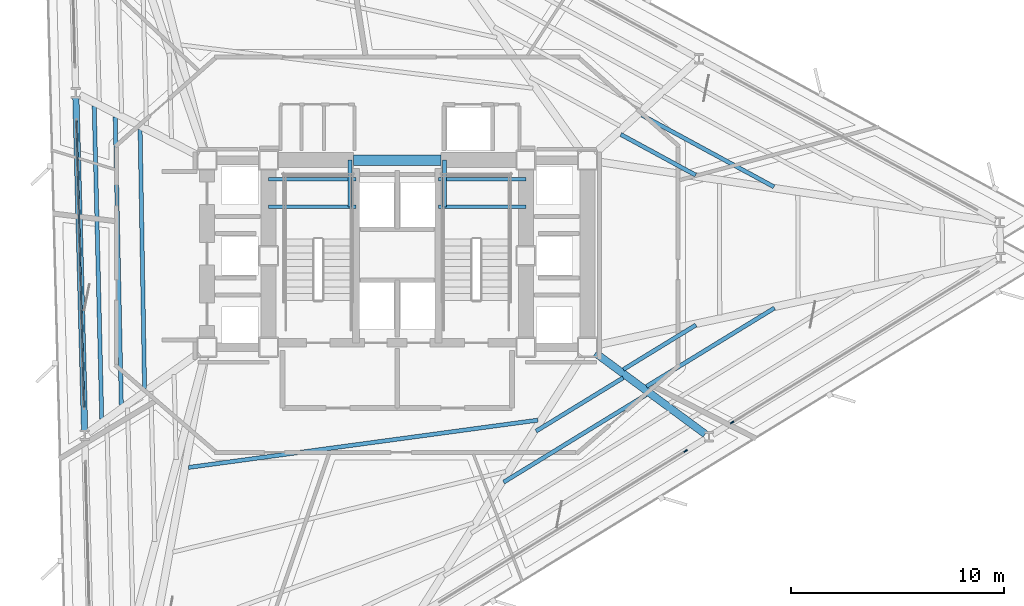
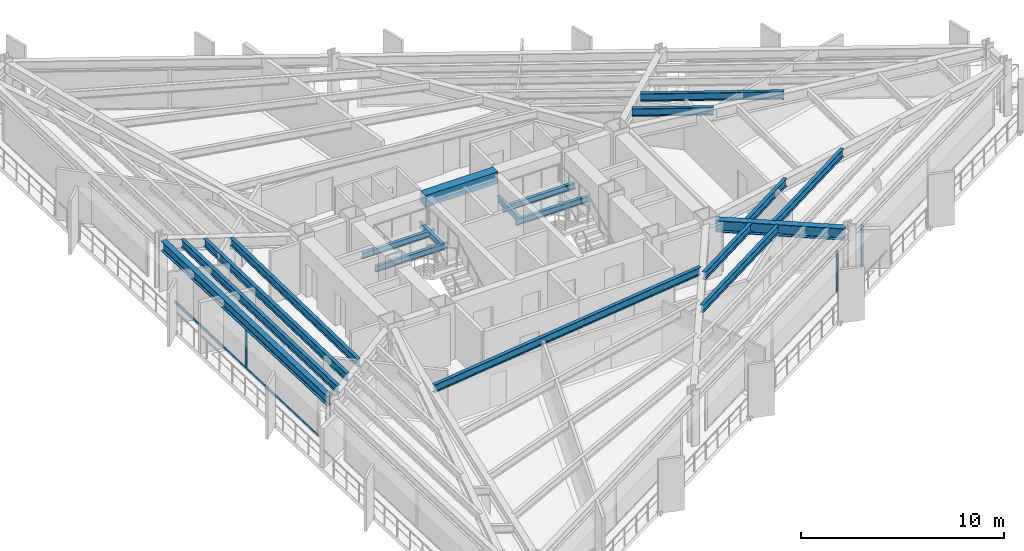
# One storey, part 3 of 14: 19 beams, 7 members, 3 elements without a shape of their own.
"""IFC4 building model written with IfcOpenShell, lengths in metres."""

from ifc_helpers import new_model, si_unit, direction, frame, origin, origin_2d, place, context, subcontext, project, spatial, rectangle, i_section, extrude, material, layer, layer_set, material_profile, profile_set, type_object, element, aggregate, save


model = new_model("IFC4")

# Units and contexts
model_context = context("Model", 3, precision=1e-05, world=origin(), true_north=direction((0.0, 1.0)))
body_context = subcontext(model_context, "Body", "Model", "MODEL_VIEW")
ifc_project = project(units=[si_unit("LENGTHUNIT", "METRE"), si_unit("AREAUNIT", "SQUARE_METRE"), si_unit("VOLUMEUNIT", "CUBIC_METRE"), si_unit("PLANEANGLEUNIT", "RADIAN"), si_unit("MASSUNIT", "GRAM", prefix="KILO")], contexts=[model_context])

# Site, building, storey
site_placement = place(None, origin())
site = spatial("IfcSite", under=ifc_project, at=site_placement, CompositionType="ELEMENT")
building_placement = place(site_placement, origin())
building = spatial("IfcBuilding", under=site, at=building_placement, Name="Rocaltana Carrier Exchange", CompositionType="ELEMENT")
storey_placement = place(building_placement, frame((0.0, 0.0, 28.9599609375)))
storey = spatial("IfcBuildingStorey", under=building, at=storey_placement, Name="L09", CompositionType="ELEMENT", Elevation=28.9599609375)

# Curtain wall, member
ifc_material_1 = material(Name="Aluminium 6063-T6", Category="aluminium")
ifc_layer = layer(ifc_material_1, 0.179931640625)
ifc_layer_set = layer_set([ifc_layer], Name="Aluminium 6063-T6")
curtain_wall_type = type_object("IfcCurtainWallType", Name="Sandstone Spandrel Unitised Curtain Wall CW-01", PredefinedType="NOTDEFINED", material=ifc_layer_set)
curtain_wall_1_placement = place(storey_placement, origin())
curtain_wall_1 = element("IfcCurtainWall", 1, at=curtain_wall_1_placement, inside=storey, type_object=curtain_wall_type, Name="L09 CW-01 Run CW-L09-F2S2", PredefinedType="NOTDEFINED")
ifc_material_2 = material(Name="Aluminium 6063-T6", Category="aluminium")
ifc_material_profile_1 = material_profile(ifc_material_2, rectangle(XDim=0.06494140625, YDim=0.179931640625, at=origin_2d()), Name="AL-65X180")
ifc_profile_set_1 = profile_set([ifc_material_profile_1], Name="Aluminium 6063-T6")
member_type_1 = type_object("IfcMemberType", Name="CW-01 Mullion AL-65X180", PredefinedType="MULLION", material=ifc_profile_set_1)
member_1_placement = place(storey_placement, frame((-14.91064453125, -0.390380859375, 0.0), z_axis=(0.0, 0.0, 1.0), x_axis=(0.99965733548, 0.026176547142, 0.0)))
member_1 = element("IfcMember", 2, at=member_1_placement, type_object=member_type_1, Name="CW-01 mullion 2", PredefinedType="MULLION", context=body_context, shape_type="SweptSolid", body=[
    extrude(rectangle(XDim=0.06494140625, YDim=0.179931640625, at=origin_2d()), origin(), (0.0, 0.0, 1.0), 2.47802734375),
])

curtain_wall_2_placement = place(storey_placement, origin())
curtain_wall_2 = element("IfcCurtainWall", 3, at=curtain_wall_2_placement, inside=storey, type_object=curtain_wall_type, Name="L09 CW-01 Run CW-L09-F3S2", PredefinedType="NOTDEFINED")
member_2_placement = place(storey_placement, frame((13.563720703125, -9.181884765625, 0.0), z_axis=(0.0, 0.0, 1.0), x_axis=(-0.522499812415, 0.852639399762, 0.0)))
member_2 = element("IfcMember", 4, at=member_2_placement, type_object=member_type_1, Name="CW-01 mullion 3", PredefinedType="MULLION", context=body_context, shape_type="SweptSolid", body=[
    extrude(rectangle(XDim=0.06494140625, YDim=0.179931640625, at=origin_2d()), origin(), (0.0, 0.0, 1.0), 2.47802734375),
])
aggregate(curtain_wall_2, [member_2])

curtain_wall_3_placement = place(storey_placement, origin())
curtain_wall_3 = element("IfcCurtainWall", 5, at=curtain_wall_3_placement, inside=storey, type_object=curtain_wall_type, Name="L09 CW-01 Run CW-L09-F3S3", PredefinedType="NOTDEFINED")
member_3_placement = place(storey_placement, frame((15.750732421875, -7.841552734375, 0.0), z_axis=(0.0, 0.0, 1.0), x_axis=(-0.522499812415, 0.852639399762, 0.0)))
member_3 = element("IfcMember", 6, at=member_3_placement, type_object=member_type_1, Name="CW-01 mullion 1", PredefinedType="MULLION", context=body_context, shape_type="SweptSolid", body=[
    extrude(rectangle(XDim=0.06494140625, YDim=0.179931640625, at=origin_2d()), origin(), (0.0, 0.0, 1.0), 2.47802734375),
])
aggregate(curtain_wall_3, [member_3])

# Member
ifc_material_3 = material(Name="Aluminium 6063-T6", Category="aluminium")
ifc_material_profile_2 = material_profile(ifc_material_3, rectangle(XDim=0.06494140625, YDim=0.179931640625, at=origin_2d()), Name="AL-65X180")
ifc_profile_set_2 = profile_set([ifc_material_profile_2], Name="Aluminium 6063-T6")
member_type_2 = type_object("IfcMemberType", Name="CW-01 Transom AL-65X180", PredefinedType="USERDEFINED", material=ifc_profile_set_2)
member_4_placement = place(storey_placement, frame((-15.0869140625, 6.34228515625, 0.032470703125), z_axis=(0.026153417925, -0.999657940863, 0.0), x_axis=(0.999657940863, 0.026153417925, 0.0)))
member_4 = element("IfcMember", 7, at=member_4_placement, type_object=member_type_2, Name="CW-01 transom 1.1", ObjectType="TRANSOM", PredefinedType="USERDEFINED", context=body_context, shape_type="SweptSolid", body=[
    extrude(rectangle(XDim=0.06494140625, YDim=0.179931640625, at=origin_2d()), origin(), (0.0, 0.0, 1.0), 6.702392578125),
])

member_5_placement = place(storey_placement, frame((-15.0869140625, 6.34228515625, 2.445556640625), z_axis=(0.026153417925, -0.999657940863, 0.0), x_axis=(0.999657940863, 0.026153417925, 0.0)))
member_5 = element("IfcMember", 8, at=member_5_placement, type_object=member_type_2, Name="CW-01 transom 1.2", ObjectType="TRANSOM", PredefinedType="USERDEFINED", context=body_context, shape_type="SweptSolid", body=[
    extrude(rectangle(XDim=0.06494140625, YDim=0.179931640625, at=origin_2d()), origin(), (0.0, 0.0, 1.0), 6.702392578125),
])

member_6_placement = place(storey_placement, frame((-14.909912109375, -0.4228515625, 0.032470703125), z_axis=(0.026189818331, -0.999656987879, 0.0), x_axis=(0.999656987879, 0.026189818331, 0.0)))
member_6 = element("IfcMember", 9, at=member_6_placement, type_object=member_type_2, Name="CW-01 transom 2.1", ObjectType="TRANSOM", PredefinedType="USERDEFINED", context=body_context, shape_type="SweptSolid", body=[
    extrude(rectangle(XDim=0.06494140625, YDim=0.179931640625, at=origin_2d()), origin(), (0.0, 0.0, 1.0), 6.702392578125),
])

member_7_placement = place(storey_placement, frame((-14.909912109375, -0.4228515625, 2.445556640625), z_axis=(0.026189818331, -0.999656987879, 0.0), x_axis=(0.999656987879, 0.026189818331, 0.0)))
member_7 = element("IfcMember", 10, at=member_7_placement, type_object=member_type_2, Name="CW-01 transom 2.2", ObjectType="TRANSOM", PredefinedType="USERDEFINED", context=body_context, shape_type="SweptSolid", body=[
    extrude(rectangle(XDim=0.06494140625, YDim=0.179931640625, at=origin_2d()), origin(), (0.0, 0.0, 1.0), 6.702392578125),
])

aggregate(curtain_wall_1, [member_1, member_4, member_5, member_6, member_7])

# Beams
ifc_material_4 = material(Name="Concrete C60/75", Category="concrete")
ifc_material_profile_3 = material_profile(ifc_material_4, rectangle(XDim=0.5, YDim=0.699951171875, at=origin_2d()), Name="RC-BM-500X700")
ifc_profile_set_3 = profile_set([ifc_material_profile_3], Name="Concrete C60/75")
beam_type_1 = type_object("IfcBeamType", Name="Core Coupling Lintel 500x700", PredefinedType="LINTEL", material=ifc_profile_set_3)
beam_1_placement = place(storey_placement, frame((-2.050048828125, 4.5, 2.748046875), z_axis=(1.0, 0.0, 0.0), x_axis=(0.0, 1.0, 0.0)))
element("IfcBeam", 11, at=beam_1_placement, inside=storey, type_object=beam_type_1, Name="L09 Core Coupling Lintel CL-N", PredefinedType="LINTEL", context=body_context, shape_type="SweptSolid", body=[
    extrude(rectangle(XDim=0.5, YDim=0.699951171875, at=origin_2d()), origin(), (0.0, 0.0, 1.0), 4.10009765625),
])
ifc_material_5 = material(Name="Steel S355", Category="steel")
ifc_material_profile_4 = material_profile(ifc_material_5, i_section(OverallWidth=0.172119140625, OverallDepth=0.35791015625, WebThickness=0.0078125, FlangeThickness=0.01318359375, FilletRadius=0.011962890625, at=origin_2d()), Name="W14X38")
ifc_profile_set_4 = profile_set([ifc_material_profile_4], Name="Steel S355")
beam_type_2 = type_object("IfcBeamType", Name="Floor Joist W14X38", PredefinedType="JOIST", material=ifc_profile_set_4)
for number, where, z_axis, x_axis, name in (
    (12, (-6.050048828125, 2.300048828125, 1.301025390625), (1.0, 0.0, 0.0), (0.0, 1.0, 0.0), "L09 ST-1 Landing Carrier 1"),
    (13, (1.93994140625, 2.300048828125, 1.301025390625), (1.0, 0.0, 0.0), (0.0, 1.0, 0.0), "L09 ST-2 Landing Carrier 1"),
    (14, (-6.050048828125, 3.60009765625, 1.301025390625), (1.0, 0.0, 0.0), (0.0, 1.0, 0.0), "L09 ST-1 Landing Carrier 2"),
    (15, (1.93994140625, 3.60009765625, 1.301025390625), (1.0, 0.0, 0.0), (0.0, 1.0, 0.0), "L09 ST-2 Landing Carrier 2"),
):
    element("IfcBeam", number, at=place(storey_placement, frame(where, z_axis=z_axis, x_axis=x_axis)), inside=storey, type_object=beam_type_2, Name=name, PredefinedType="JOIST", context=body_context, shape_type="SweptSolid", body=[
        extrude(i_section(OverallWidth=0.172119140625, OverallDepth=0.35791015625, WebThickness=0.0078125, FlangeThickness=0.01318359375, FilletRadius=0.011962890625, at=origin_2d()), origin(), (0.0, 0.0, 1.0), 4.110107421875),
    ])
for number, where, z_axis, x_axis, name in (
    (16, (-2.219970703125, 2.300048828125, 1.301025390625), (0.0, 1.0, 0.0), (-1.0, 0.0, 0.0), "L09 ST-1 Landing Cross Trimmer"),
    (17, (2.219970703125, 2.300048828125, 1.301025390625), (0.0, 1.0, 0.0), (-1.0, 0.0, 0.0), "L09 ST-2 Landing Cross Trimmer"),
):
    element("IfcBeam", number, at=place(storey_placement, frame(where, z_axis=z_axis, x_axis=x_axis)), inside=storey, type_object=beam_type_2, Name=name, PredefinedType="JOIST", context=body_context, shape_type="SweptSolid", body=[
        extrude(i_section(OverallWidth=0.172119140625, OverallDepth=0.35791015625, WebThickness=0.0078125, FlangeThickness=0.01318359375, FilletRadius=0.011962890625, at=origin_2d()), origin(), (0.0, 0.0, 1.0), 2.199951171875),
    ])
ifc_material_6 = material(Name="Steel S355", Category="steel")
ifc_material_profile_5 = material_profile(ifc_material_6, i_section(OverallWidth=0.193115234375, OverallDepth=0.466064453125, WebThickness=0.011474609375, FlangeThickness=0.01904296875, FilletRadius=0.013916015625, at=origin_2d()), Name="W18X65")
ifc_profile_set_5 = profile_set([ifc_material_profile_5], Name="Steel S355")
beam_type_3 = type_object("IfcBeamType", Name="Floor Joist W18X65", PredefinedType="JOIST", material=ifc_profile_set_5)
beam_2_placement = place(storey_placement, frame((14.03466796875, 3.794921875, 2.864990234375), z_axis=(-0.878819095461, 0.477155108381, 0.0), x_axis=(-0.477155108381, -0.878819095461, 0.0)))
element("IfcBeam", 18, at=beam_2_placement, inside=storey, type_object=beam_type_3, Name="FJ-L09-01-1", PredefinedType="JOIST", context=body_context, shape_type="SweptSolid", body=[
    extrude(i_section(OverallWidth=0.193115234375, OverallDepth=0.466064453125, WebThickness=0.011474609375, FlangeThickness=0.01904296875, FilletRadius=0.013916015625, at=origin_2d()), origin(), (0.0, 0.0, 1.0), 4.003662109375),
])
beam_3_placement = place(storey_placement, frame((17.718994140625, 3.240966796875, 2.864990234375), z_axis=(-0.878818644884, 0.477155938247, 0.0), x_axis=(-0.477155938247, -0.878818644884, 0.0)))
element("IfcBeam", 19, at=beam_3_placement, inside=storey, type_object=beam_type_3, Name="FJ-L09-01-2", PredefinedType="JOIST", context=body_context, shape_type="SweptSolid", body=[
    extrude(i_section(OverallWidth=0.193115234375, OverallDepth=0.466064453125, WebThickness=0.011474609375, FlangeThickness=0.01904296875, FilletRadius=0.013916015625, at=origin_2d()), origin(), (0.0, 0.0, 1.0), 7.06298828125),
])
beam_4_placement = place(storey_placement, frame((-12.094482421875, 5.9384765625, 2.864990234375), z_axis=(0.01715934819, -0.999852767546, 0.0), x_axis=(0.999852767546, 0.01715934819, 0.0)))
element("IfcBeam", 20, at=beam_4_placement, inside=storey, type_object=beam_type_3, Name="FJ-L09-06-2", PredefinedType="JOIST", context=body_context, shape_type="SweptSolid", body=[
    extrude(i_section(OverallWidth=0.193115234375, OverallDepth=0.466064453125, WebThickness=0.011474609375, FlangeThickness=0.01904296875, FilletRadius=0.013916015625, at=origin_2d()), origin(), (0.0, 0.0, 1.0), 12.178955078125),
])
beam_5_placement = place(storey_placement, frame((-13.266357421875, 6.538330078125, 2.864990234375), z_axis=(0.021217434782, -0.999774884892, 0.0), x_axis=(0.999774884892, 0.021217434782, 0.0)))
element("IfcBeam", 21, at=beam_5_placement, inside=storey, type_object=beam_type_3, Name="FJ-L09-06-3", PredefinedType="JOIST", context=body_context, shape_type="SweptSolid", body=[
    extrude(i_section(OverallWidth=0.193115234375, OverallDepth=0.466064453125, WebThickness=0.011474609375, FlangeThickness=0.01904296875, FilletRadius=0.013916015625, at=origin_2d()), origin(), (0.0, 0.0, 1.0), 13.56640625),
])
beam_6_placement = place(storey_placement, frame((-14.25341796875, 7.04345703125, 2.864990234375), z_axis=(0.024041709719, -0.999710956324, 0.0), x_axis=(0.999710956324, 0.024041709719, 0.0)))
element("IfcBeam", 22, at=beam_6_placement, inside=storey, type_object=beam_type_3, Name="FJ-L09-06-4", PredefinedType="JOIST", context=body_context, shape_type="SweptSolid", body=[
    extrude(i_section(OverallWidth=0.193115234375, OverallDepth=0.466064453125, WebThickness=0.011474609375, FlangeThickness=0.01904296875, FilletRadius=0.013916015625, at=origin_2d()), origin(), (0.0, 0.0, 1.0), 14.734619140625),
])
beam_7_placement = place(storey_placement, frame((-9.819091796875, -9.956787109375, 2.864990234375), z_axis=(0.990955694238, 0.13418946329, 0.0), x_axis=(-0.13418946329, 0.990955694238, 0.0)))
element("IfcBeam", 23, at=beam_7_placement, inside=storey, type_object=beam_type_3, Name="FJ-L09-09-1", PredefinedType="JOIST", context=body_context, shape_type="SweptSolid", body=[
    extrude(i_section(OverallWidth=0.193115234375, OverallDepth=0.466064453125, WebThickness=0.011474609375, FlangeThickness=0.01904296875, FilletRadius=0.013916015625, at=origin_2d()), origin(), (0.0, 0.0, 1.0), 16.58349609375),
])
beam_8_placement = place(storey_placement, frame((6.52978515625, -8.25, 2.864990234375), z_axis=(0.852639920922, 0.522498961961, 0.0), x_axis=(-0.522498961961, 0.852639920922, 0.0)))
element("IfcBeam", 24, at=beam_8_placement, inside=storey, type_object=beam_type_3, Name="FJ-L09-10-1", PredefinedType="JOIST", context=body_context, shape_type="SweptSolid", body=[
    extrude(i_section(OverallWidth=0.193115234375, OverallDepth=0.466064453125, WebThickness=0.011474609375, FlangeThickness=0.01904296875, FilletRadius=0.013916015625, at=origin_2d()), origin(), (0.0, 0.0, 1.0), 4.80908203125),
])
beam_9_placement = place(storey_placement, frame((5.005859375, -10.648681640625, 2.864990234375), z_axis=(0.852633806111, 0.522508940283, 0.0), x_axis=(-0.522508940283, 0.852633806111, 0.0)))
element("IfcBeam", 25, at=beam_9_placement, inside=storey, type_object=beam_type_3, Name="FJ-L09-10-2", PredefinedType="JOIST", context=body_context, shape_type="SweptSolid", body=[
    extrude(i_section(OverallWidth=0.193115234375, OverallDepth=0.466064453125, WebThickness=0.011474609375, FlangeThickness=0.01904296875, FilletRadius=0.013916015625, at=origin_2d()), origin(), (0.0, 0.0, 1.0), 7.867919921875),
])
beam_10_placement = place(storey_placement, frame((10.63720703125, -5.34765625, 2.864990234375), z_axis=(0.852634552526, 0.522507722277, 0.0), x_axis=(-0.522507722277, 0.852634552526, 0.0)))
element("IfcBeam", 26, at=beam_10_placement, inside=storey, type_object=beam_type_3, Name="FJ-L09-11-1", PredefinedType="JOIST", context=body_context, shape_type="SweptSolid", body=[
    extrude(i_section(OverallWidth=0.193115234375, OverallDepth=0.466064453125, WebThickness=0.011474609375, FlangeThickness=0.01904296875, FilletRadius=0.013916015625, at=origin_2d()), origin(), (0.0, 0.0, 1.0), 4.00390625),
])
beam_11_placement = place(storey_placement, frame((11.721435546875, -6.147705078125, 2.864990234375), z_axis=(0.85265490201, 0.522474514286, 0.0), x_axis=(-0.522474514286, 0.85265490201, 0.0)))
element("IfcBeam", 27, at=beam_11_placement, inside=storey, type_object=beam_type_3, Name="FJ-L09-11-2", PredefinedType="JOIST", context=body_context, shape_type="SweptSolid", body=[
    extrude(i_section(OverallWidth=0.193115234375, OverallDepth=0.466064453125, WebThickness=0.011474609375, FlangeThickness=0.01904296875, FilletRadius=0.013916015625, at=origin_2d()), origin(), (0.0, 0.0, 1.0), 7.06298828125),
])
ifc_material_7 = material(Name="Steel S355", Category="steel")
ifc_material_profile_6 = material_profile(ifc_material_7, i_section(OverallWidth=0.35498046875, OverallDepth=0.695068359375, WebThickness=0.015380859375, FlangeThickness=0.02490234375, FilletRadius=0.01806640625, at=origin_2d()), Name="W27X146")
ifc_profile_set_6 = profile_set([ifc_material_profile_6], Name="Steel S355")
beam_type_4 = type_object("IfcBeamType", Name="Radial Girder W27X146", PredefinedType="BEAM", material=ifc_profile_set_6)
beam_12_placement = place(storey_placement, frame((9.32568359375, -4.577392578125, 2.75048828125), z_axis=(0.804632064785, -0.593773728216, 0.0), x_axis=(0.593773728216, 0.804632064785, 0.0)))
element("IfcBeam", 28, at=beam_12_placement, inside=storey, type_object=beam_type_4, Name="RG-L09-11", PredefinedType="BEAM", context=body_context, shape_type="SweptSolid", body=[
    extrude(i_section(OverallWidth=0.35498046875, OverallDepth=0.695068359375, WebThickness=0.015380859375, FlangeThickness=0.02490234375, FilletRadius=0.01806640625, at=origin_2d()), origin(), (0.0, 0.0, 1.0), 6.41796875),
])
ifc_material_8 = material(Name="Steel S355", Category="steel")
ifc_material_profile_7 = material_profile(ifc_material_8, i_section(OverallWidth=0.300048828125, OverallDepth=0.60009765625, WebThickness=0.015380859375, FlangeThickness=0.030029296875, FilletRadius=0.027099609375, at=origin_2d()), Name="HEB600")
ifc_profile_set_7 = profile_set([ifc_material_profile_7], Name="Steel S355")
beam_type_5 = type_object("IfcBeamType", Name="Spandrel Edge Beam HEB600", PredefinedType="SPANDREL", material=ifc_profile_set_7)
beam_13_placement = place(storey_placement, frame((-15.115966796875, 7.448974609375, 2.798095703125), z_axis=(0.026182238984, -0.99965718642, 0.0), x_axis=(0.99965718642, 0.026182238984, 0.0)))
element("IfcBeam", 29, at=beam_13_placement, inside=storey, type_object=beam_type_5, Name="SP-L09-06", PredefinedType="SPANDREL", context=body_context, shape_type="SweptSolid", body=[
    extrude(i_section(OverallWidth=0.300048828125, OverallDepth=0.60009765625, WebThickness=0.015380859375, FlangeThickness=0.030029296875, FilletRadius=0.027099609375, at=origin_2d()), origin(), (0.0, 0.0, 1.0), 15.68408203125),
])

save(model, "model.ifc")
